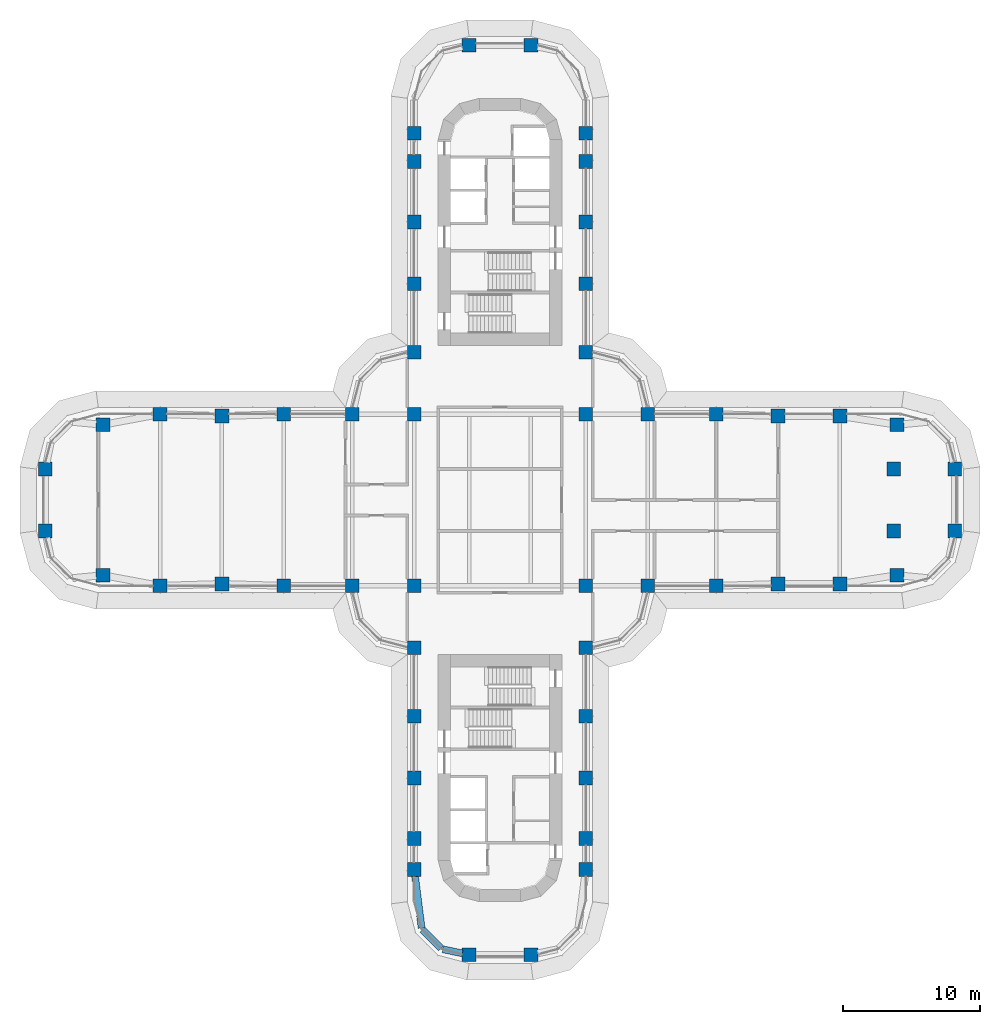
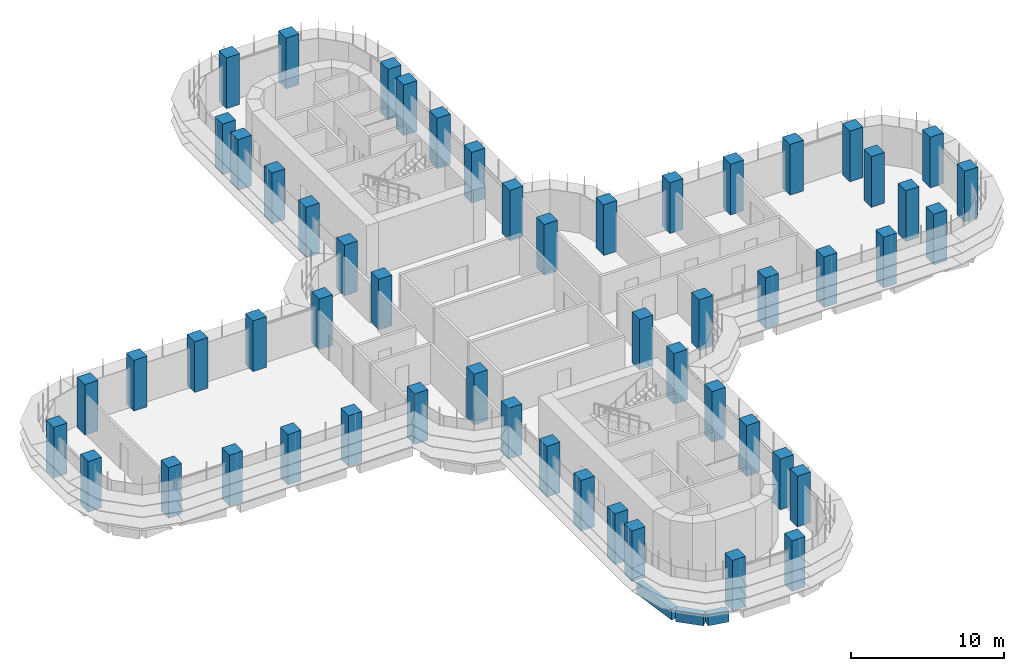
# One storey, part 1 of 23: 54 columns, 3 beams.
"""IFC4 building model written with IfcOpenShell, lengths in metres."""

import ifcopenshell
import ifcopenshell.guid

model = None  # the IFC model being written
_history = None  # IfcOwnerHistory: only IFC2X3 demands one
_inside = {}  # id of a spatial element -> (the spatial element, [elements in it])
_under = {}  # id of a project, library or spatial element -> (it, [spatial elements below it])
_declared = {}  # id of a project -> (the project, [libraries it declares])
_typed = {}  # id of a type object -> (the type object, [elements of that type])
_made_of = {}  # id of a material, layer set ... -> (it, [elements and type objects made of it])


def new_model(schema):
    """Start an empty IFC model of exactly this schema.

    Asked for "IFC4X3", IfcOpenShell would pick the latest addendum, in which some entities
    have other attributes; the version numbers below select the first issue.
    IFC2X3 requires an IfcOwnerHistory on every rooted entity: one is made here for all.
    """
    global model, _history
    if schema == "IFC4X3":
        model = ifcopenshell.file(schema_version=(4, 3, 0, 0))
    else:
        model = ifcopenshell.file(schema=schema)
    _inside.clear()
    _under.clear()
    _declared.clear()
    _typed.clear()
    _made_of.clear()
    _history = None
    if model.schema == "IFC2X3":
        org = make("IfcOrganization", Name="unknown")
        user = make(
            "IfcPersonAndOrganization",
            ThePerson=make("IfcPerson", FamilyName="unknown"),
            TheOrganization=org,
        )
        app = make(
            "IfcApplication",
            ApplicationDeveloper=org,
            Version="unknown",
            ApplicationFullName="unknown",
            ApplicationIdentifier="unknown",
        )
        _history = make(
            "IfcOwnerHistory",
            OwningUser=user,
            OwningApplication=app,
            ChangeAction="ADDED",
            CreationDate=0,
        )
    return model


def make(cls, **values):
    """One entity of the class cls with the attributes given. An attribute that is None is left unset."""
    return model.create_entity(
        cls, **{name: value for name, value in values.items() if value is not None}
    )


def rooted(cls, **values):
    """An entity with a GlobalId (a new one), such as an element, a storey or a relation."""
    return make(cls, GlobalId=ifcopenshell.guid.new(), OwnerHistory=_history, **values)


def si_unit(unit_type, name, prefix=None):
    """IfcSIUnit, for example si_unit("LENGTHUNIT", "METRE", prefix="MILLI")."""
    return make("IfcSIUnit", UnitType=unit_type, Prefix=prefix, Name=name)


def assignment(units):
    """IfcUnitAssignment: the units of a project."""
    return None if units is None else make("IfcUnitAssignment", Units=units)


def point(xyz):
    """IfcCartesianPoint."""
    return None if xyz is None else make("IfcCartesianPoint", Coordinates=xyz)


def direction(xyz):
    """IfcDirection."""
    return None if xyz is None else make("IfcDirection", DirectionRatios=xyz)


def frame(location, z_axis=None, x_axis=None):
    """IfcAxis2Placement3D, a coordinate frame: its origin and axes. An axis left out is left unset."""
    return make(
        "IfcAxis2Placement3D",
        Location=point(location),
        Axis=direction(z_axis),
        RefDirection=direction(x_axis),
    )


def frame_2d(location, x_axis=None):
    """IfcAxis2Placement2D, a coordinate frame in the plane: its origin and x axis."""
    return make(
        "IfcAxis2Placement2D", Location=point(location), RefDirection=direction(x_axis)
    )


def origin():
    """The frame at (0, 0, 0) with its axes left unset."""
    return frame((0.0, 0.0, 0.0))


def origin_2d():
    """The frame at (0, 0) in the plane with its x axis left unset."""
    return frame_2d((0.0, 0.0))


def place(relative_to, where):
    """IfcLocalPlacement: puts the frame where relative to a parent placement (None: the world)."""
    return make(
        "IfcLocalPlacement", PlacementRelTo=relative_to, RelativePlacement=where
    )


def context(
    kind, dimensions, precision=None, world=None, true_north=None, identifier=None
):
    """IfcGeometricRepresentationContext, for example the 3D "Model" context."""
    return make(
        "IfcGeometricRepresentationContext",
        ContextIdentifier=identifier,
        ContextType=kind,
        CoordinateSpaceDimension=dimensions,
        Precision=precision,
        WorldCoordinateSystem=world,
        TrueNorth=true_north,
    )


def subcontext(parent, identifier, kind, view, scale=None):
    """IfcGeometricRepresentationSubContext, for example "Body" below "Model"."""
    return make(
        "IfcGeometricRepresentationSubContext",
        ContextIdentifier=identifier,
        ContextType=kind,
        ParentContext=parent,
        TargetScale=scale,
        TargetView=view,
    )


def project(units=None, contexts=None):
    """IfcProject with its units and contexts."""
    return rooted(
        "IfcProject",
        Name="project",
        RepresentationContexts=contexts,
        UnitsInContext=assignment(units),
    )


def spatial(cls, under=None, at=None, **own):
    """A site, building, storey or space (cls), placed at a placement, below another one or the project."""
    s = rooted(cls, ObjectPlacement=at, **own)
    if under is not None:
        _under.setdefault(under.id(), (under, []))[1].append(s)
    return s


def profile(cls, at=None, kind="AREA", **sizes):
    """A parametric profile (cls). Its sizes go by their IFC names, for example OverallWidth=200.0."""
    return make(cls, ProfileType=kind, Position=at, **sizes)


def rectangle(**sizes):
    """IfcRectangleProfileDef."""
    return profile("IfcRectangleProfileDef", **sizes)


def extrude(swept, where, along, depth):
    """IfcExtrudedAreaSolid: the profile swept, set in the frame where, extruded along a direction by depth."""
    return make(
        "IfcExtrudedAreaSolid",
        SweptArea=swept,
        Position=where,
        ExtrudedDirection=direction(along),
        Depth=depth,
    )


def shape(context_of_items, identifier, shape_type, items):
    """IfcShapeRepresentation: the items that make up one representation, for example the "Body"."""
    return make(
        "IfcShapeRepresentation",
        ContextOfItems=context_of_items,
        RepresentationIdentifier=identifier,
        RepresentationType=shape_type,
        Items=items,
    )


def material(Name=None, Category=None):
    """IfcMaterial."""
    return make("IfcMaterial", Name=Name, Category=Category)


def material_profile(
    of_material, cross_section, Name=None, Category=None, Priority=None
):
    """IfcMaterialProfile: a cross section and its material."""
    return make(
        "IfcMaterialProfile",
        Name=Name,
        Material=of_material,
        Profile=cross_section,
        Priority=Priority,
        Category=Category,
    )


def profile_set(profiles, Name=None, composite=None):
    """IfcMaterialProfileSet."""
    return make(
        "IfcMaterialProfileSet",
        Name=Name,
        MaterialProfiles=profiles,
        CompositeProfile=composite,
    )


def made_of(thing, what):
    """Note that an element or type object is made of a material, layer set ...; save() writes the relation."""
    if what is not None:
        _made_of.setdefault(what.id(), (what, []))[1].append(thing)
    return thing


def type_object(cls, material=None, **own):
    """A type object (cls), such as IfcWallType, which elements share."""
    return made_of(rooted(cls, **own), material)


def element(
    cls,
    number,
    at=None,
    inside=None,
    cuts=None,
    type_object=None,
    material=None,
    context=None,
    identifier="Body",
    shape_type=None,
    held_by="IfcProductDefinitionShape",
    body=None,
    shapes=None,
    **own,
):
    """One element of the class cls, such as IfcWall. Its Tag is "e" and its number.

    at: its placement. inside: the storey or other place that contains it. cuts: it is an
    opening in that element (IfcRelVoidsElement). A single representation is given by context,
    identifier, shape_type and body (its items); several are given by shapes. held_by: the class
    of the entity that holds the representations. save() writes the other relations.
    """
    e = rooted(cls, Tag="e%d" % number, ObjectPlacement=at, **own)
    if body is not None:
        shapes = [shape(context, identifier, shape_type, body)]
    if shapes is not None:
        e.Representation = make(held_by, Representations=shapes)
    if inside is not None:
        _inside.setdefault(inside.id(), (inside, []))[1].append(e)
    if cuts is not None:
        rooted(
            "IfcRelVoidsElement", RelatingBuildingElement=cuts, RelatedOpeningElement=e
        )
    if type_object is not None:
        _typed.setdefault(type_object.id(), (type_object, []))[1].append(e)
    return made_of(e, material)


def aggregate(whole, parts):
    """IfcRelAggregates: a whole, such as a stair, and the parts it consists of."""
    return rooted("IfcRelAggregates", RelatingObject=whole, RelatedObjects=parts)


def save(model, path):
    """Write the relations noted so far, then the file.

    IfcRelAggregates (storeys below a building ...), IfcRelContainedInSpatialStructure (elements
    in a storey), IfcRelDefinesByType, IfcRelAssociatesMaterial and IfcRelDeclares: one each for
    every whole, place, type object, material and project.
    """
    for whole, parts in _under.values():
        aggregate(whole, parts)
    for where, things in _inside.values():
        rooted(
            "IfcRelContainedInSpatialStructure",
            RelatedElements=things,
            RelatingStructure=where,
        )
    for kind, things in _typed.values():
        rooted("IfcRelDefinesByType", RelatedObjects=things, RelatingType=kind)
    for what, things in _made_of.values():
        rooted("IfcRelAssociatesMaterial", RelatedObjects=things, RelatingMaterial=what)
    for by, libraries in _declared.values():
        rooted("IfcRelDeclares", RelatingContext=by, RelatedDefinitions=libraries)
    model.write(path)


model = new_model("IFC4")

# Units and contexts
model_context = context("Model", 3, precision=1e-05, world=origin(), true_north=direction((0.0, 1.0)))
body_context = subcontext(model_context, "Body", "Model", "MODEL_VIEW")
ifc_project = project(units=[si_unit("LENGTHUNIT", "METRE"), si_unit("AREAUNIT", "SQUARE_METRE"), si_unit("VOLUMEUNIT", "CUBIC_METRE"), si_unit("PLANEANGLEUNIT", "RADIAN"), si_unit("MASSUNIT", "GRAM", prefix="KILO")], contexts=[model_context])

# Site, building, storey
site_placement = place(None, origin())
site = spatial("IfcSite", under=ifc_project, at=site_placement, CompositionType="ELEMENT")
building_placement = place(site_placement, origin())
building = spatial("IfcBuilding", under=site, at=building_placement, Name="Zarbagh Exchange Tower", CompositionType="ELEMENT")
storey_placement = place(building_placement, frame((0.0, 0.0, 73.199951171875)))
storey = spatial("IfcBuildingStorey", under=building, at=storey_placement, Name="L16", CompositionType="ELEMENT", Elevation=73.199951171875)

# Columns
ifc_material = material(Name="Concrete C60/75", Category="concrete")
ifc_material_profile_1 = material_profile(ifc_material, rectangle(XDim=1.0, YDim=1.0, at=origin_2d()), Name="RC column 1000 x 1000 C60/75")
ifc_profile_set_1 = profile_set([ifc_material_profile_1], Name="Concrete C60/75")
column_type = type_object("IfcColumnType", Name="RC column 1000 x 1000 C60/75", PredefinedType="COLUMN", material=ifc_profile_set_1)
for number, where, z_axis, x_axis, name in (
    (1, (-33.110107421875, -2.25, 0.0), (0.0, 0.0, 1.0), (1.0, 0.0, 0.0), "C2 10/S"),
    (2, (-33.110107421875, 2.25, 0.0), (0.0, 0.0, 1.0), (1.0, 0.0, 0.0), "C2 10/T"),
    (3, (-28.907958984375, -5.47509765625, 0.0), (0.0, 0.0, 1.0), (1.0, 0.0, 0.0), "C2 11/R"),
    (4, (-28.907958984375, 5.47509765625, 0.0), (0.0, 0.0, 1.0), (1.0, 0.0, 0.0), "C2 11/U"),
    (5, (-24.75, -6.25, 0.0), (0.0, 0.0, 1.0), (1.0, 0.0, 0.0), "C2 12/R"),
    (6, (-24.75, 6.25, 0.0), (0.0, 0.0, 1.0), (1.0, 0.0, 0.0), "C2 12/U"),
    (7, (-20.25, -6.110107421875, 0.0), (0.0, 0.0, 1.0), (1.0, 0.0, 0.0), "C2 13/R"),
    (8, (-20.25, 6.110107421875, 0.0), (0.0, 0.0, 1.0), (1.0, 0.0, 0.0), "C2 13/U"),
    (9, (-15.75, -6.25, 0.0), (0.0, 0.0, 1.0), (1.0, 0.0, 0.0), "C2 14/R"),
    (10, (-15.75, 6.25, 0.0), (0.0, 0.0, 1.0), (1.0, 0.0, 0.0), "C2 14/U"),
    (11, (-10.75, -6.25, 0.0), (0.0, 0.0, 1.0), (1.0, 0.0, 0.0), "C2 15/R"),
    (12, (-10.75, 6.25, 0.0), (0.0, 0.0, 1.0), (1.0, 0.0, 0.0), "C2 15/U"),
    (13, (-6.25, -26.89990234375, 0.0), (0.0, 0.0, 1.0), (1.0, 0.0, 0.0), "C2 16/L"),
    (14, (-6.25, -24.64990234375, 0.0), (0.0, 0.0, 1.0), (1.0, 0.0, 0.0), "C2 16/M"),
    (15, (-6.25, -20.25, 0.0), (0.0, 0.0, 1.0), (1.0, 0.0, 0.0), "C2 16/N"),
    (16, (-6.25, -15.75, 0.0), (0.0, 0.0, 1.0), (1.0, 0.0, 0.0), "C2 16/P"),
    (17, (-6.25, -10.75, 0.0), (0.0, 0.0, 1.0), (1.0, 0.0, 0.0), "C2 16/Q"),
    (18, (-6.25, -6.25, 0.0), (0.0, 0.0, 1.0), (1.0, 0.0, 0.0), "C2 16/R"),
    (19, (-6.25, 6.25, 0.0), (0.0, 0.0, 1.0), (1.0, 0.0, 0.0), "C2 16/U"),
    (20, (-6.25, 10.75, 0.0), (0.0, 0.0, 1.0), (1.0, 0.0, 0.0), "C2 16/V"),
    (21, (-6.25, 15.75, 0.0), (0.0, 0.0, 1.0), (1.0, 0.0, 0.0), "C2 16/W"),
    (22, (-6.25, 20.25, 0.0), (0.0, 0.0, 1.0), (1.0, 0.0, 0.0), "C2 16/X"),
    (23, (-6.25, 24.64990234375, 0.0), (0.0, 0.0, 1.0), (1.0, 0.0, 0.0), "C2 16/Y"),
    (24, (-6.25, 26.699951171875, 0.0), (0.0, 0.0, 1.0), (1.0, 0.0, 0.0), "C2 16/Z"),
    (25, (-2.25, -33.110107421875, 0.0), (0.0, 0.0, 1.0), (1.0, 0.0, 0.0), "C2 17/K"),
    (26, (-2.25, 33.110107421875, 0.0), (0.0, 0.0, 1.0), (1.0, 0.0, 0.0), "C2 17/AA"),
    (27, (2.25, -33.110107421875, 0.0), (0.0, 0.0, 1.0), (1.0, 0.0, 0.0), "C2 18/K"),
    (28, (2.25, 33.110107421875, 0.0), (0.0, 0.0, 1.0), (1.0, 0.0, 0.0), "C2 18/AA"),
    (29, (6.25, -26.89990234375, 0.0), (0.0, 0.0, 1.0), (1.0, 0.0, 0.0), "C2 19/L"),
    (30, (6.25, -24.64990234375, 0.0), (0.0, 0.0, 1.0), (1.0, 0.0, 0.0), "C2 19/M"),
    (31, (6.25, -20.25, 0.0), (0.0, 0.0, 1.0), (1.0, 0.0, 0.0), "C2 19/N"),
    (32, (6.25, -15.75, 0.0), (0.0, 0.0, 1.0), (1.0, 0.0, 0.0), "C2 19/P"),
    (33, (6.25, -10.75, 0.0), (0.0, 0.0, 1.0), (1.0, 0.0, 0.0), "C2 19/Q"),
    (34, (6.25, -6.25, 0.0), (0.0, 0.0, 1.0), (1.0, 0.0, 0.0), "C2 19/R"),
    (35, (6.25, 6.25, 0.0), (0.0, 0.0, 1.0), (1.0, 0.0, 0.0), "C2 19/U"),
    (36, (6.25, 10.75, 0.0), (0.0, 0.0, 1.0), (1.0, 0.0, 0.0), "C2 19/V"),
    (37, (6.25, 15.75, 0.0), (0.0, 0.0, 1.0), (1.0, 0.0, 0.0), "C2 19/W"),
    (38, (6.25, 20.25, 0.0), (0.0, 0.0, 1.0), (1.0, 0.0, 0.0), "C2 19/X"),
    (39, (6.25, 24.64990234375, 0.0), (0.0, 0.0, 1.0), (1.0, 0.0, 0.0), "C2 19/Y"),
    (40, (6.25, 26.699951171875, 0.0), (0.0, 0.0, 1.0), (1.0, 0.0, 0.0), "C2 19/Z"),
    (41, (10.75, -6.25, 0.0), (0.0, 0.0, 1.0), (1.0, 0.0, 0.0), "C2 20/R"),
    (42, (10.75, 6.25, 0.0), (0.0, 0.0, 1.0), (1.0, 0.0, 0.0), "C2 20/U"),
    (43, (15.75, -6.25, 0.0), (0.0, 0.0, 1.0), (1.0, 0.0, 0.0), "C2 21/R"),
    (44, (15.75, 6.25, 0.0), (0.0, 0.0, 1.0), (1.0, 0.0, 0.0), "C2 21/U"),
    (45, (20.25, -6.110107421875, 0.0), (0.0, 0.0, 1.0), (1.0, 0.0, 0.0), "C2 22/R"),
    (46, (20.25, 6.110107421875, 0.0), (0.0, 0.0, 1.0), (1.0, 0.0, 0.0), "C2 22/U"),
    (47, (24.75, -6.110107421875, 0.0), (0.0, 0.0, 1.0), (1.0, 0.0, 0.0), "C2 23/R"),
    (48, (24.75, 6.110107421875, 0.0), (0.0, 0.0, 1.0), (1.0, 0.0, 0.0), "C2 23/U"),
    (49, (28.907958984375, -5.47509765625, 0.0), (0.0, 0.0, 1.0), (1.0, 0.0, 0.0), "C2 24/R"),
    (50, (28.669921875, -2.25, 0.0), (0.0, 0.0, 1.0), (1.0, 0.0, 0.0), "C2 24/S"),
    (51, (28.669921875, 2.25, 0.0), (0.0, 0.0, 1.0), (1.0, 0.0, 0.0), "C2 24/T"),
    (52, (28.907958984375, 5.47509765625, 0.0), (0.0, 0.0, 1.0), (1.0, 0.0, 0.0), "C2 24/U"),
    (53, (33.110107421875, -2.25, 0.0), (0.0, 0.0, 1.0), (1.0, 0.0, 0.0), "C2 25/S"),
    (54, (33.110107421875, 2.25, 0.0), (0.0, 0.0, 1.0), (1.0, 0.0, 0.0), "C2 25/T"),
):
    element("IfcColumn", number, at=place(storey_placement, frame(where, z_axis=z_axis, x_axis=x_axis)), inside=storey, type_object=column_type, Name=name, PredefinedType="COLUMN", context=body_context, shape_type="SweptSolid", body=[
        extrude(rectangle(XDim=1.0, YDim=1.0, at=origin_2d()), origin(), (0.0, 0.0, 1.0), 4.050048828125),
    ])

# Beams
ifc_material_profile_2 = material_profile(ifc_material, rectangle(XDim=0.5, YDim=0.89990234375, at=origin_2d()), Name="RC spandrel beam 500 x 900 C60/75")
ifc_profile_set_2 = profile_set([ifc_material_profile_2], Name="Concrete C60/75")
beam_type = type_object("IfcBeamType", Name="RC spandrel beam 500 x 900 C60/75", PredefinedType="SPANDREL", material=ifc_profile_set_2)
beam_1_placement = place(storey_placement, frame((-2.73974609375, -33.0087890625, -0.599853515625), z_axis=(-0.9793713725, 0.202068589164, 0.0), x_axis=(-0.202068589164, -0.9793713725, 0.0)))
element("IfcBeam", 55, at=beam_1_placement, inside=storey, type_object=beam_type, Name="RC spandrel beam", PredefinedType="SPANDREL", context=body_context, shape_type="SweptSolid", body=[
    extrude(rectangle(XDim=0.5, YDim=0.89990234375, at=origin_2d()), origin(), (0.0, 0.0, 1.0), 1.458251953125),
])
beam_2_placement = place(storey_placement, frame((-4.294189453125, -32.64599609375, -0.599853515625), z_axis=(-0.707042571718, 0.707170984825, 0.0), x_axis=(-0.707170984825, -0.707042571718, 0.0)))
element("IfcBeam", 56, at=beam_2_placement, inside=storey, type_object=beam_type, Name="RC spandrel beam", PredefinedType="SPANDREL", context=body_context, shape_type="SweptSolid", body=[
    extrude(rectangle(XDim=0.5, YDim=0.89990234375, at=origin_2d()), origin(), (0.0, 0.0, 1.0), 1.901123046875),
])
beam_3_placement = place(storey_placement, frame((-5.709716796875, -31.156494140625, -0.599853515625), z_axis=(-0.12591317752, 0.992041265133, 0.0), x_axis=(-0.992041265133, -0.12591317752, 0.0)))
element("IfcBeam", 57, at=beam_3_placement, inside=storey, type_object=beam_type, Name="RC spandrel beam", PredefinedType="SPANDREL", context=body_context, shape_type="SweptSolid", body=[
    extrude(rectangle(XDim=0.5, YDim=0.89990234375, at=origin_2d()), origin(), (0.0, 0.0, 1.0), 3.790771484375),
])

save(model, "model.ifc")
